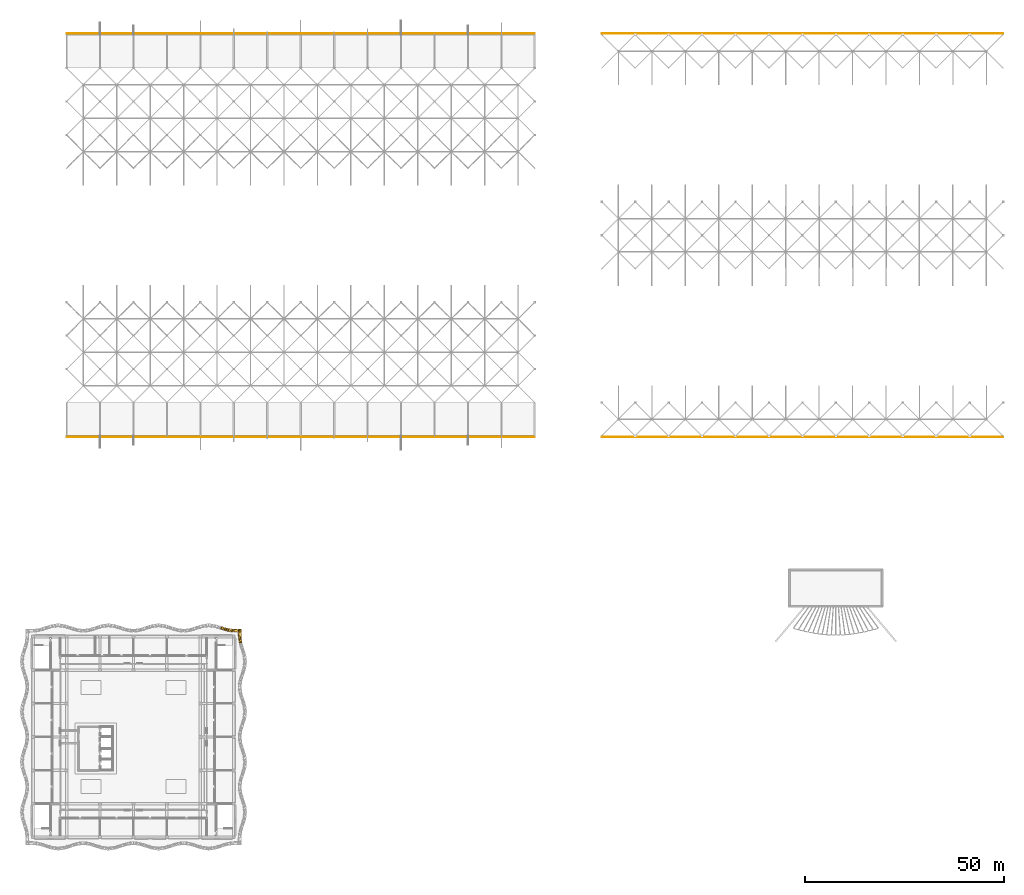
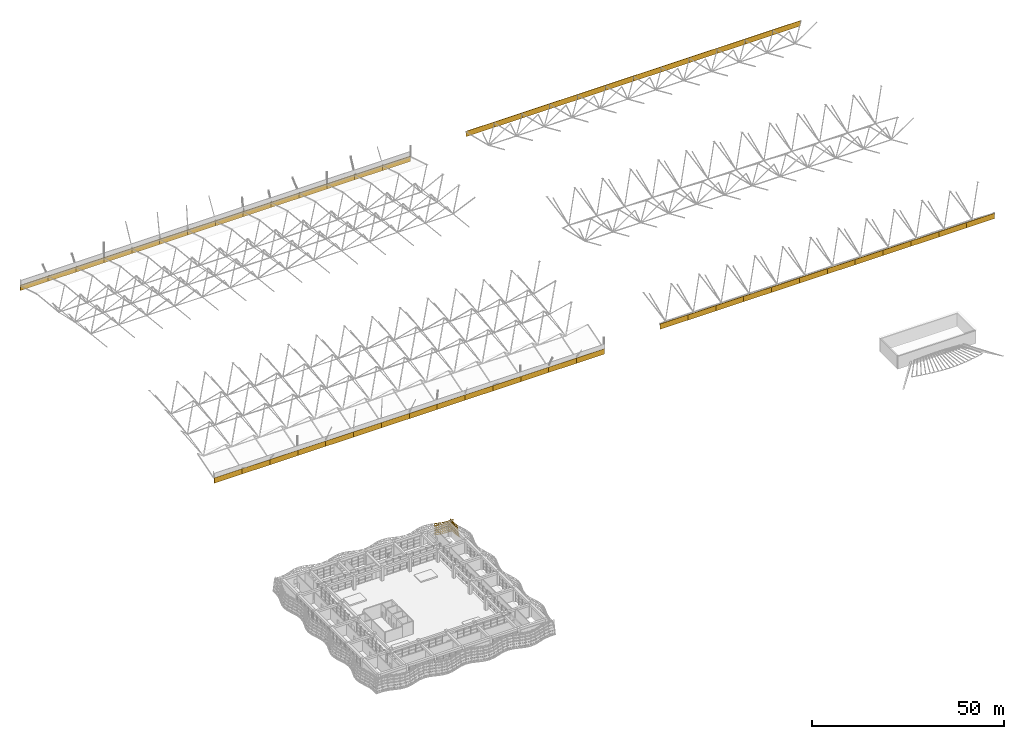
# One storey, part 85 of 85: 57 coverings.
"""IFC4 building model written with IfcOpenShell, lengths in metres."""

from ifc_helpers import new_model, si_unit, direction, frame, origin, origin_2d, place, context, subcontext, project, spatial, polyline, rectangle, outline, extrude, material, layer, layer_set, type_object, element, save


model = new_model("IFC4")

# Units and contexts
model_context = context("Model", 3, precision=1e-05, world=origin(), true_north=direction((0.0, 1.0)))
body_context = subcontext(model_context, "Body", "Model", "MODEL_VIEW")
ifc_project = project(units=[si_unit("LENGTHUNIT", "METRE"), si_unit("AREAUNIT", "SQUARE_METRE"), si_unit("VOLUMEUNIT", "CUBIC_METRE"), si_unit("PLANEANGLEUNIT", "RADIAN"), si_unit("MASSUNIT", "GRAM", prefix="KILO")], contexts=[model_context])

# Site, building, storey
site_placement = place(None, origin())
site = spatial("IfcSite", under=ifc_project, at=site_placement, CompositionType="ELEMENT")
building_placement = place(site_placement, origin())
building = spatial("IfcBuilding", under=site, at=building_placement, Name="Rain Tree Exposition and Congress Centre", CompositionType="ELEMENT")
storey_placement = place(building_placement, frame((0.0, 0.0, 15.0)))
storey = spatial("IfcBuildingStorey", under=building, at=storey_placement, Name="L03", CompositionType="ELEMENT", Elevation=15.0)

# Coverings
ifc_material_1 = material(Name="Aluminium composite", Category="aluminium")
ifc_layer_1 = layer(ifc_material_1, 0.1201171875)
ifc_layer_set_1 = layer_set([ifc_layer_1], Name="Aluminium composite")
covering_type_1 = type_object("IfcCoveringType", Name="Eaves fascia panel 120", PredefinedType="CLADDING", material=ifc_layer_set_1)
for number, where, z_axis, x_axis, name in (
    (1, (12.60009765625, 100.56494140625, 1.2998046875), (0.0, 0.0, 1.0), (1.0, 0.0, 0.0), "Eaves fascia S1"),
    (2, (21.0, 100.56494140625, 1.2998046875), (0.0, 0.0, 1.0), (1.0, 0.0, 0.0), "Eaves fascia S2"),
    (3, (29.39990234375, 100.56494140625, 1.2998046875), (0.0, 0.0, 1.0), (1.0, 0.0, 0.0), "Eaves fascia S3"),
    (4, (37.800048828125, 100.56494140625, 1.2998046875), (0.0, 0.0, 1.0), (1.0, 0.0, 0.0), "Eaves fascia S4"),
    (5, (46.199951171875, 100.56494140625, 1.2998046875), (0.0, 0.0, 1.0), (1.0, 0.0, 0.0), "Eaves fascia S5"),
    (6, (54.60009765625, 100.56494140625, 1.2998046875), (0.0, 0.0, 1.0), (1.0, 0.0, 0.0), "Eaves fascia S6"),
    (7, (63.0, 100.56494140625, 1.2998046875), (0.0, 0.0, 1.0), (1.0, 0.0, 0.0), "Eaves fascia S7"),
    (8, (71.39990234375, 100.56494140625, 1.2998046875), (0.0, 0.0, 1.0), (1.0, 0.0, 0.0), "Eaves fascia S8"),
    (9, (79.800048828125, 100.56494140625, 1.2998046875), (0.0, 0.0, 1.0), (1.0, 0.0, 0.0), "Eaves fascia S9"),
    (10, (88.199951171875, 100.56494140625, 1.2998046875), (0.0, 0.0, 1.0), (1.0, 0.0, 0.0), "Eaves fascia S10"),
    (11, (96.60009765625, 100.56494140625, 1.2998046875), (0.0, 0.0, 1.0), (1.0, 0.0, 0.0), "Eaves fascia S11"),
    (12, (105.0, 100.56494140625, 1.2998046875), (0.0, 0.0, 1.0), (1.0, 0.0, 0.0), "Eaves fascia S12"),
    (13, (113.39990234375, 100.56494140625, 1.2998046875), (0.0, 0.0, 1.0), (1.0, 0.0, 0.0), "Eaves fascia S13"),
    (14, (121.800048828125, 100.56494140625, 1.2998046875), (0.0, 0.0, 1.0), (1.0, 0.0, 0.0), "Eaves fascia S14"),
    (15, (12.60009765625, 201.8349609375, 1.2998046875), (0.0, 0.0, 1.0), (1.0, 0.0, 0.0), "Eaves fascia N1"),
    (16, (21.0, 201.8349609375, 1.2998046875), (0.0, 0.0, 1.0), (1.0, 0.0, 0.0), "Eaves fascia N2"),
    (17, (29.39990234375, 201.8349609375, 1.2998046875), (0.0, 0.0, 1.0), (1.0, 0.0, 0.0), "Eaves fascia N3"),
    (18, (37.800048828125, 201.8349609375, 1.2998046875), (0.0, 0.0, 1.0), (1.0, 0.0, 0.0), "Eaves fascia N4"),
    (19, (46.199951171875, 201.8349609375, 1.2998046875), (0.0, 0.0, 1.0), (1.0, 0.0, 0.0), "Eaves fascia N5"),
    (20, (54.60009765625, 201.8349609375, 1.2998046875), (0.0, 0.0, 1.0), (1.0, 0.0, 0.0), "Eaves fascia N6"),
    (21, (63.0, 201.8349609375, 1.2998046875), (0.0, 0.0, 1.0), (1.0, 0.0, 0.0), "Eaves fascia N7"),
    (22, (71.39990234375, 201.8349609375, 1.2998046875), (0.0, 0.0, 1.0), (1.0, 0.0, 0.0), "Eaves fascia N8"),
    (23, (79.800048828125, 201.8349609375, 1.2998046875), (0.0, 0.0, 1.0), (1.0, 0.0, 0.0), "Eaves fascia N9"),
    (24, (88.199951171875, 201.8349609375, 1.2998046875), (0.0, 0.0, 1.0), (1.0, 0.0, 0.0), "Eaves fascia N10"),
    (25, (96.60009765625, 201.8349609375, 1.2998046875), (0.0, 0.0, 1.0), (1.0, 0.0, 0.0), "Eaves fascia N11"),
    (26, (105.0, 201.8349609375, 1.2998046875), (0.0, 0.0, 1.0), (1.0, 0.0, 0.0), "Eaves fascia N12"),
    (27, (113.39990234375, 201.8349609375, 1.2998046875), (0.0, 0.0, 1.0), (1.0, 0.0, 0.0), "Eaves fascia N13"),
    (28, (121.800048828125, 201.8349609375, 1.2998046875), (0.0, 0.0, 1.0), (1.0, 0.0, 0.0), "Eaves fascia N14"),
    (29, (147.0, 100.56494140625, 3.2998046875), (0.0, 0.0, 1.0), (1.0, 0.0, 0.0), "Eaves fascia S1"),
    (30, (155.39990234375, 100.56494140625, 3.2998046875), (0.0, 0.0, 1.0), (1.0, 0.0, 0.0), "Eaves fascia S2"),
    (31, (163.800048828125, 100.56494140625, 3.2998046875), (0.0, 0.0, 1.0), (1.0, 0.0, 0.0), "Eaves fascia S3"),
    (32, (172.199951171875, 100.56494140625, 3.2998046875), (0.0, 0.0, 1.0), (1.0, 0.0, 0.0), "Eaves fascia S4"),
    (33, (180.60009765625, 100.56494140625, 3.2998046875), (0.0, 0.0, 1.0), (1.0, 0.0, 0.0), "Eaves fascia S5"),
    (34, (189.0, 100.56494140625, 3.2998046875), (0.0, 0.0, 1.0), (1.0, 0.0, 0.0), "Eaves fascia S6"),
    (35, (197.39990234375, 100.56494140625, 3.2998046875), (0.0, 0.0, 1.0), (1.0, 0.0, 0.0), "Eaves fascia S7"),
    (36, (205.800048828125, 100.56494140625, 3.2998046875), (0.0, 0.0, 1.0), (1.0, 0.0, 0.0), "Eaves fascia S8"),
    (37, (214.199951171875, 100.56494140625, 3.2998046875), (0.0, 0.0, 1.0), (1.0, 0.0, 0.0), "Eaves fascia S9"),
    (38, (222.60009765625, 100.56494140625, 3.2998046875), (0.0, 0.0, 1.0), (1.0, 0.0, 0.0), "Eaves fascia S10"),
    (39, (231.0, 100.56494140625, 3.2998046875), (0.0, 0.0, 1.0), (1.0, 0.0, 0.0), "Eaves fascia S11"),
    (40, (239.39990234375, 100.56494140625, 3.2998046875), (0.0, 0.0, 1.0), (1.0, 0.0, 0.0), "Eaves fascia S12"),
    (41, (147.0, 201.8349609375, 3.2998046875), (0.0, 0.0, 1.0), (1.0, 0.0, 0.0), "Eaves fascia N1"),
    (42, (155.39990234375, 201.8349609375, 3.2998046875), (0.0, 0.0, 1.0), (1.0, 0.0, 0.0), "Eaves fascia N2"),
    (43, (163.800048828125, 201.8349609375, 3.2998046875), (0.0, 0.0, 1.0), (1.0, 0.0, 0.0), "Eaves fascia N3"),
    (44, (172.199951171875, 201.8349609375, 3.2998046875), (0.0, 0.0, 1.0), (1.0, 0.0, 0.0), "Eaves fascia N4"),
    (45, (180.60009765625, 201.8349609375, 3.2998046875), (0.0, 0.0, 1.0), (1.0, 0.0, 0.0), "Eaves fascia N5"),
    (46, (189.0, 201.8349609375, 3.2998046875), (0.0, 0.0, 1.0), (1.0, 0.0, 0.0), "Eaves fascia N6"),
    (47, (197.39990234375, 201.8349609375, 3.2998046875), (0.0, 0.0, 1.0), (1.0, 0.0, 0.0), "Eaves fascia N7"),
    (48, (205.800048828125, 201.8349609375, 3.2998046875), (0.0, 0.0, 1.0), (1.0, 0.0, 0.0), "Eaves fascia N8"),
    (49, (214.199951171875, 201.8349609375, 3.2998046875), (0.0, 0.0, 1.0), (1.0, 0.0, 0.0), "Eaves fascia N9"),
    (50, (222.60009765625, 201.8349609375, 3.2998046875), (0.0, 0.0, 1.0), (1.0, 0.0, 0.0), "Eaves fascia N10"),
    (51, (231.0, 201.8349609375, 3.2998046875), (0.0, 0.0, 1.0), (1.0, 0.0, 0.0), "Eaves fascia N11"),
    (52, (239.39990234375, 201.8349609375, 3.2998046875), (0.0, 0.0, 1.0), (1.0, 0.0, 0.0), "Eaves fascia N12"),
):
    element("IfcCovering", number, at=place(storey_placement, frame(where, z_axis=z_axis, x_axis=x_axis)), inside=storey, type_object=covering_type_1, Name=name, PredefinedType="CLADDING", context=body_context, shape_type="SweptSolid", body=[
        extrude(rectangle(XDim=8.39990234375, YDim=0.1201171875, at=origin_2d()), origin(), (0.0, 0.0, 1.0), 1.699951171875),
    ])
ifc_material_2 = material(Name="Perforated terracotta", Category="masonry")
ifc_layer_2 = layer(ifc_material_2, 0.080078125)
ifc_layer_set_2 = layer_set([ifc_layer_2], Name="Perforated terracotta")
covering_type_2 = type_object("IfcCoveringType", Name="Terracotta screen 80", PredefinedType="CLADDING", material=ifc_layer_set_2)
covering_1_placement = place(storey_placement, frame((52.503173828125, 48.82470703125, 0.01318359375), z_axis=(-0.978036007662, -0.127967328105, -0.16452942185), x_axis=(0.129735338481, -0.991548658387, 0.0)))
element("IfcCovering", 53, at=covering_1_placement, inside=storey, type_object=covering_type_2, Name="wing/screen/L03/066", PredefinedType="CLADDING", context=body_context, shape_type="SweptSolid", body=[
    extrude(outline(polyline([(-1.5732421875, 0.0), (-1.5732421875, 4.295166015625), (-0.014892578125, 4.295166015625), (-0.014892578125, 0.0), (-1.5732421875, 0.0)]), holes=[polyline([(-0.11376953125, 0.2216796875), (-0.11376953125, 0.63720703125), (-0.435791015625, 0.63720703125), (-0.435791015625, 0.2216796875), (-0.11376953125, 0.2216796875)]), polyline([(-0.11376953125, 1.080810546875), (-0.11376953125, 1.496337890625), (-0.435791015625, 1.496337890625), (-0.435791015625, 1.080810546875), (-0.11376953125, 1.080810546875)]), polyline([(-0.11376953125, 1.939697265625), (-0.11376953125, 2.35546875), (-0.435791015625, 2.35546875), (-0.435791015625, 1.939697265625), (-0.11376953125, 1.939697265625)]), polyline([(-0.11376953125, 2.798583984375), (-0.11376953125, 3.21435546875), (-0.435791015625, 3.21435546875), (-0.435791015625, 2.798583984375), (-0.11376953125, 2.798583984375)]), polyline([(-0.11376953125, 3.65771484375), (-0.11376953125, 4.073486328125), (-0.435791015625, 4.073486328125), (-0.435791015625, 3.65771484375), (-0.11376953125, 3.65771484375)]), polyline([(-0.633056640625, 0.2216796875), (-0.633056640625, 0.63720703125), (-0.955078125, 0.63720703125), (-0.955078125, 0.2216796875), (-0.633056640625, 0.2216796875)]), polyline([(-0.633056640625, 1.080810546875), (-0.633056640625, 1.496337890625), (-0.955078125, 1.496337890625), (-0.955078125, 1.080810546875), (-0.633056640625, 1.080810546875)]), polyline([(-0.633056640625, 1.939697265625), (-0.633056640625, 2.35546875), (-0.955078125, 2.35546875), (-0.955078125, 1.939697265625), (-0.633056640625, 1.939697265625)]), polyline([(-0.633056640625, 2.798583984375), (-0.633056640625, 3.21435546875), (-0.955078125, 3.21435546875), (-0.955078125, 2.798583984375), (-0.633056640625, 2.798583984375)]), polyline([(-0.633056640625, 3.65771484375), (-0.633056640625, 4.073486328125), (-0.955078125, 4.073486328125), (-0.955078125, 3.65771484375), (-0.633056640625, 3.65771484375)]), polyline([(-1.152587890625, 0.2216796875), (-1.152587890625, 0.63720703125), (-1.474609375, 0.63720703125), (-1.474609375, 0.2216796875), (-1.152587890625, 0.2216796875)]), polyline([(-1.152587890625, 1.080810546875), (-1.152587890625, 1.496337890625), (-1.474609375, 1.496337890625), (-1.474609375, 1.080810546875), (-1.152587890625, 1.080810546875)]), polyline([(-1.152587890625, 1.939697265625), (-1.152587890625, 2.35546875), (-1.474609375, 2.35546875), (-1.474609375, 1.939697265625), (-1.152587890625, 1.939697265625)]), polyline([(-1.152587890625, 2.798583984375), (-1.152587890625, 3.21435546875), (-1.474609375, 3.21435546875), (-1.474609375, 2.798583984375), (-1.152587890625, 2.798583984375)]), polyline([(-1.152587890625, 3.65771484375), (-1.152587890625, 4.073486328125), (-1.474609375, 4.073486328125), (-1.474609375, 3.65771484375), (-1.152587890625, 3.65771484375)])]), origin(), (0.0, 0.0, 1.0), 0.080078125),
])
covering_2_placement = place(storey_placement, frame((52.298095703125, 50.39990234375, 0.01318359375), z_axis=(-0.986311269939, 0.0, -0.1648941442), x_axis=(0.0, -1.0, 0.0)))
element("IfcCovering", 54, at=covering_2_placement, inside=storey, type_object=covering_type_2, Name="wing/screen/L03/067", PredefinedType="CLADDING", context=body_context, shape_type="SweptSolid", body=[
    extrude(outline(polyline([(-1.805419921875, 0.0), (-1.805419921875, 4.2958984375), (-0.014892578125, 4.2958984375), (-0.014892578125, 0.0), (-1.805419921875, 0.0)]), holes=[polyline([(-0.12841796875, 0.2216796875), (-0.12841796875, 0.637451171875), (-0.498291015625, 0.637451171875), (-0.498291015625, 0.2216796875), (-0.12841796875, 0.2216796875)]), polyline([(-0.12841796875, 1.080810546875), (-0.12841796875, 1.49658203125), (-0.498291015625, 1.49658203125), (-0.498291015625, 1.080810546875), (-0.12841796875, 1.080810546875)]), polyline([(-0.12841796875, 1.940185546875), (-0.12841796875, 2.355712890625), (-0.498291015625, 2.355712890625), (-0.498291015625, 1.940185546875), (-0.12841796875, 1.940185546875)]), polyline([(-0.12841796875, 2.79931640625), (-0.12841796875, 3.215087890625), (-0.498291015625, 3.215087890625), (-0.498291015625, 2.79931640625), (-0.12841796875, 2.79931640625)]), polyline([(-0.12841796875, 3.658447265625), (-0.12841796875, 4.07421875), (-0.498291015625, 4.07421875), (-0.498291015625, 3.658447265625), (-0.12841796875, 3.658447265625)]), polyline([(-0.72509765625, 0.2216796875), (-0.72509765625, 0.637451171875), (-1.09521484375, 0.637451171875), (-1.09521484375, 0.2216796875), (-0.72509765625, 0.2216796875)]), polyline([(-0.72509765625, 1.080810546875), (-0.72509765625, 1.49658203125), (-1.09521484375, 1.49658203125), (-1.09521484375, 1.080810546875), (-0.72509765625, 1.080810546875)]), polyline([(-0.72509765625, 1.940185546875), (-0.72509765625, 2.355712890625), (-1.09521484375, 2.355712890625), (-1.09521484375, 1.940185546875), (-0.72509765625, 1.940185546875)]), polyline([(-0.72509765625, 2.79931640625), (-0.72509765625, 3.215087890625), (-1.09521484375, 3.215087890625), (-1.09521484375, 2.79931640625), (-0.72509765625, 2.79931640625)]), polyline([(-0.72509765625, 3.658447265625), (-0.72509765625, 4.07421875), (-1.09521484375, 4.07421875), (-1.09521484375, 3.658447265625), (-0.72509765625, 3.658447265625)]), polyline([(-1.322021484375, 0.2216796875), (-1.322021484375, 0.637451171875), (-1.69189453125, 0.637451171875), (-1.69189453125, 0.2216796875), (-1.322021484375, 0.2216796875)]), polyline([(-1.322021484375, 1.080810546875), (-1.322021484375, 1.49658203125), (-1.69189453125, 1.49658203125), (-1.69189453125, 1.080810546875), (-1.322021484375, 1.080810546875)]), polyline([(-1.322021484375, 1.940185546875), (-1.322021484375, 2.355712890625), (-1.69189453125, 2.355712890625), (-1.69189453125, 1.940185546875), (-1.322021484375, 1.940185546875)]), polyline([(-1.322021484375, 2.79931640625), (-1.322021484375, 3.215087890625), (-1.69189453125, 3.215087890625), (-1.69189453125, 2.79931640625), (-1.322021484375, 2.79931640625)]), polyline([(-1.322021484375, 3.658447265625), (-1.322021484375, 4.07421875), (-1.69189453125, 4.07421875), (-1.69189453125, 3.658447265625), (-1.322021484375, 3.658447265625)])]), origin(), (0.0, 0.0, 1.0), 0.079833984375),
])
covering_3_placement = place(storey_placement, frame((52.30029296875, 52.298095703125, 0.01318359375), z_axis=(0.0, -0.986311269939, -0.1648941442), x_axis=(1.0, 0.0, 0.0)))
element("IfcCovering", 55, at=covering_3_placement, inside=storey, type_object=covering_type_2, Name="wing/screen/L03/068", PredefinedType="CLADDING", context=body_context, shape_type="SweptSolid", body=[
    extrude(outline(polyline([(-1.88525390625, 0.0), (-1.88525390625, 4.2958984375), (-0.094970703125, 4.2958984375), (-0.094970703125, 0.0), (-1.88525390625, 0.0)]), holes=[polyline([(-0.20849609375, 0.2216796875), (-0.20849609375, 0.637451171875), (-0.578369140625, 0.637451171875), (-0.578369140625, 0.2216796875), (-0.20849609375, 0.2216796875)]), polyline([(-0.20849609375, 1.080810546875), (-0.20849609375, 1.49658203125), (-0.578369140625, 1.49658203125), (-0.578369140625, 1.080810546875), (-0.20849609375, 1.080810546875)]), polyline([(-0.20849609375, 1.940185546875), (-0.20849609375, 2.355712890625), (-0.578369140625, 2.355712890625), (-0.578369140625, 1.940185546875), (-0.20849609375, 1.940185546875)]), polyline([(-0.20849609375, 2.79931640625), (-0.20849609375, 3.215087890625), (-0.578369140625, 3.215087890625), (-0.578369140625, 2.79931640625), (-0.20849609375, 2.79931640625)]), polyline([(-0.20849609375, 3.658447265625), (-0.20849609375, 4.07421875), (-0.578369140625, 4.07421875), (-0.578369140625, 3.658447265625), (-0.20849609375, 3.658447265625)]), polyline([(-0.80517578125, 0.2216796875), (-0.80517578125, 0.637451171875), (-1.175048828125, 0.637451171875), (-1.175048828125, 0.2216796875), (-0.80517578125, 0.2216796875)]), polyline([(-0.80517578125, 1.080810546875), (-0.80517578125, 1.49658203125), (-1.175048828125, 1.49658203125), (-1.175048828125, 1.080810546875), (-0.80517578125, 1.080810546875)]), polyline([(-0.80517578125, 1.940185546875), (-0.80517578125, 2.355712890625), (-1.175048828125, 2.355712890625), (-1.175048828125, 1.940185546875), (-0.80517578125, 1.940185546875)]), polyline([(-0.80517578125, 2.79931640625), (-0.80517578125, 3.215087890625), (-1.175048828125, 3.215087890625), (-1.175048828125, 2.79931640625), (-0.80517578125, 2.79931640625)]), polyline([(-0.80517578125, 3.658447265625), (-0.80517578125, 4.07421875), (-1.175048828125, 4.07421875), (-1.175048828125, 3.658447265625), (-0.80517578125, 3.658447265625)]), polyline([(-1.40185546875, 0.2216796875), (-1.40185546875, 0.637451171875), (-1.77197265625, 0.637451171875), (-1.77197265625, 0.2216796875), (-1.40185546875, 0.2216796875)]), polyline([(-1.40185546875, 1.080810546875), (-1.40185546875, 1.49658203125), (-1.77197265625, 1.49658203125), (-1.77197265625, 1.080810546875), (-1.40185546875, 1.080810546875)]), polyline([(-1.40185546875, 1.940185546875), (-1.40185546875, 2.355712890625), (-1.77197265625, 2.355712890625), (-1.77197265625, 1.940185546875), (-1.40185546875, 1.940185546875)]), polyline([(-1.40185546875, 2.79931640625), (-1.40185546875, 3.215087890625), (-1.77197265625, 3.215087890625), (-1.77197265625, 2.79931640625), (-1.40185546875, 2.79931640625)]), polyline([(-1.40185546875, 3.658447265625), (-1.40185546875, 4.07421875), (-1.77197265625, 4.07421875), (-1.77197265625, 3.658447265625), (-1.40185546875, 3.658447265625)])]), origin(), (0.0, 0.0, 1.0), 0.079833984375),
])
covering_4_placement = place(storey_placement, frame((50.399658203125, 52.298095703125, 0.01318359375), z_axis=(-0.128349774249, -0.9779030419, -0.165021138321), x_axis=(0.991496427865, -0.130133906157, 0.0)))
element("IfcCovering", 56, at=covering_4_placement, inside=storey, type_object=covering_type_2, Name="wing/screen/L03/069", PredefinedType="CLADDING", context=body_context, shape_type="SweptSolid", body=[
    extrude(outline(polyline([(-1.5732421875, 0.0), (-1.5732421875, 4.295166015625), (-0.014892578125, 4.295166015625), (-0.014892578125, 0.0), (-1.5732421875, 0.0)]), holes=[polyline([(-0.11376953125, 0.2216796875), (-0.11376953125, 0.63720703125), (-0.435791015625, 0.63720703125), (-0.435791015625, 0.2216796875), (-0.11376953125, 0.2216796875)]), polyline([(-0.11376953125, 1.080810546875), (-0.11376953125, 1.496337890625), (-0.435791015625, 1.496337890625), (-0.435791015625, 1.080810546875), (-0.11376953125, 1.080810546875)]), polyline([(-0.11376953125, 1.939697265625), (-0.11376953125, 2.35546875), (-0.435791015625, 2.35546875), (-0.435791015625, 1.939697265625), (-0.11376953125, 1.939697265625)]), polyline([(-0.11376953125, 2.798583984375), (-0.11376953125, 3.21435546875), (-0.435791015625, 3.21435546875), (-0.435791015625, 2.798583984375), (-0.11376953125, 2.798583984375)]), polyline([(-0.11376953125, 3.65771484375), (-0.11376953125, 4.073486328125), (-0.435791015625, 4.073486328125), (-0.435791015625, 3.65771484375), (-0.11376953125, 3.65771484375)]), polyline([(-0.633056640625, 0.2216796875), (-0.633056640625, 0.63720703125), (-0.955078125, 0.63720703125), (-0.955078125, 0.2216796875), (-0.633056640625, 0.2216796875)]), polyline([(-0.633056640625, 1.080810546875), (-0.633056640625, 1.496337890625), (-0.955078125, 1.496337890625), (-0.955078125, 1.080810546875), (-0.633056640625, 1.080810546875)]), polyline([(-0.633056640625, 1.939697265625), (-0.633056640625, 2.35546875), (-0.955078125, 2.35546875), (-0.955078125, 1.939697265625), (-0.633056640625, 1.939697265625)]), polyline([(-0.633056640625, 2.798583984375), (-0.633056640625, 3.21435546875), (-0.955078125, 3.21435546875), (-0.955078125, 2.798583984375), (-0.633056640625, 2.798583984375)]), polyline([(-0.633056640625, 3.65771484375), (-0.633056640625, 4.073486328125), (-0.955078125, 4.073486328125), (-0.955078125, 3.65771484375), (-0.633056640625, 3.65771484375)]), polyline([(-1.152587890625, 0.2216796875), (-1.152587890625, 0.63720703125), (-1.474609375, 0.63720703125), (-1.474609375, 0.2216796875), (-1.152587890625, 0.2216796875)]), polyline([(-1.152587890625, 1.080810546875), (-1.152587890625, 1.496337890625), (-1.474609375, 1.496337890625), (-1.474609375, 1.080810546875), (-1.152587890625, 1.080810546875)]), polyline([(-1.152587890625, 1.939697265625), (-1.152587890625, 2.35546875), (-1.474609375, 2.35546875), (-1.474609375, 1.939697265625), (-1.152587890625, 1.939697265625)]), polyline([(-1.152587890625, 2.798583984375), (-1.152587890625, 3.21435546875), (-1.474609375, 3.21435546875), (-1.474609375, 2.798583984375), (-1.152587890625, 2.798583984375)]), polyline([(-1.152587890625, 3.65771484375), (-1.152587890625, 4.073486328125), (-1.474609375, 4.073486328125), (-1.474609375, 3.65771484375), (-1.152587890625, 3.65771484375)])]), origin(), (0.0, 0.0, 1.0), 0.079833984375),
])
covering_5_placement = place(storey_placement, frame((48.824462890625, 52.50341796875, 0.0126953125), z_axis=(-0.295717964052, -0.942029390639, -0.158529217842), x_axis=(0.954094597562, -0.29950542383, 0.0)))
element("IfcCovering", 57, at=covering_5_placement, inside=storey, type_object=covering_type_2, Name="wing/screen/L03/070", PredefinedType="CLADDING", context=body_context, shape_type="SweptSolid", body=[
    extrude(outline(polyline([(-1.635986328125, 0.0), (-1.635986328125, 4.291259765625), (-0.014892578125, 4.291259765625), (-0.014892578125, 0.0), (-1.635986328125, 0.0)]), holes=[polyline([(-0.11767578125, 0.221435546875), (-0.11767578125, 0.63671875), (-0.45263671875, 0.63671875), (-0.45263671875, 0.221435546875), (-0.11767578125, 0.221435546875)]), polyline([(-0.11767578125, 1.07958984375), (-0.11767578125, 1.4951171875), (-0.45263671875, 1.4951171875), (-0.45263671875, 1.07958984375), (-0.11767578125, 1.07958984375)]), polyline([(-0.11767578125, 1.93798828125), (-0.11767578125, 2.353271484375), (-0.45263671875, 2.353271484375), (-0.45263671875, 1.93798828125), (-0.11767578125, 1.93798828125)]), polyline([(-0.11767578125, 2.796142578125), (-0.11767578125, 3.21142578125), (-0.45263671875, 3.21142578125), (-0.45263671875, 2.796142578125), (-0.11767578125, 2.796142578125)]), polyline([(-0.11767578125, 3.654541015625), (-0.11767578125, 4.06982421875), (-0.45263671875, 4.06982421875), (-0.45263671875, 3.654541015625), (-0.11767578125, 3.654541015625)]), polyline([(-0.657958984375, 0.221435546875), (-0.657958984375, 0.63671875), (-0.992919921875, 0.63671875), (-0.992919921875, 0.221435546875), (-0.657958984375, 0.221435546875)]), polyline([(-0.657958984375, 1.07958984375), (-0.657958984375, 1.4951171875), (-0.992919921875, 1.4951171875), (-0.992919921875, 1.07958984375), (-0.657958984375, 1.07958984375)]), polyline([(-0.657958984375, 1.93798828125), (-0.657958984375, 2.353271484375), (-0.992919921875, 2.353271484375), (-0.992919921875, 1.93798828125), (-0.657958984375, 1.93798828125)]), polyline([(-0.657958984375, 2.796142578125), (-0.657958984375, 3.21142578125), (-0.992919921875, 3.21142578125), (-0.992919921875, 2.796142578125), (-0.657958984375, 2.796142578125)]), polyline([(-0.657958984375, 3.654541015625), (-0.657958984375, 4.06982421875), (-0.992919921875, 4.06982421875), (-0.992919921875, 3.654541015625), (-0.657958984375, 3.654541015625)]), polyline([(-1.1982421875, 0.221435546875), (-1.1982421875, 0.63671875), (-1.533203125, 0.63671875), (-1.533203125, 0.221435546875), (-1.1982421875, 0.221435546875)]), polyline([(-1.1982421875, 1.07958984375), (-1.1982421875, 1.4951171875), (-1.533203125, 1.4951171875), (-1.533203125, 1.07958984375), (-1.1982421875, 1.07958984375)]), polyline([(-1.1982421875, 1.93798828125), (-1.1982421875, 2.353271484375), (-1.533203125, 2.353271484375), (-1.533203125, 1.93798828125), (-1.1982421875, 1.93798828125)]), polyline([(-1.1982421875, 2.796142578125), (-1.1982421875, 3.21142578125), (-1.533203125, 3.21142578125), (-1.533203125, 2.796142578125), (-1.1982421875, 2.796142578125)]), polyline([(-1.1982421875, 3.654541015625), (-1.1982421875, 4.06982421875), (-1.533203125, 4.06982421875), (-1.533203125, 3.654541015625), (-1.1982421875, 3.654541015625)])]), origin(), (0.0, 0.0, 1.0), 0.080078125),
])

save(model, "model.ifc")
